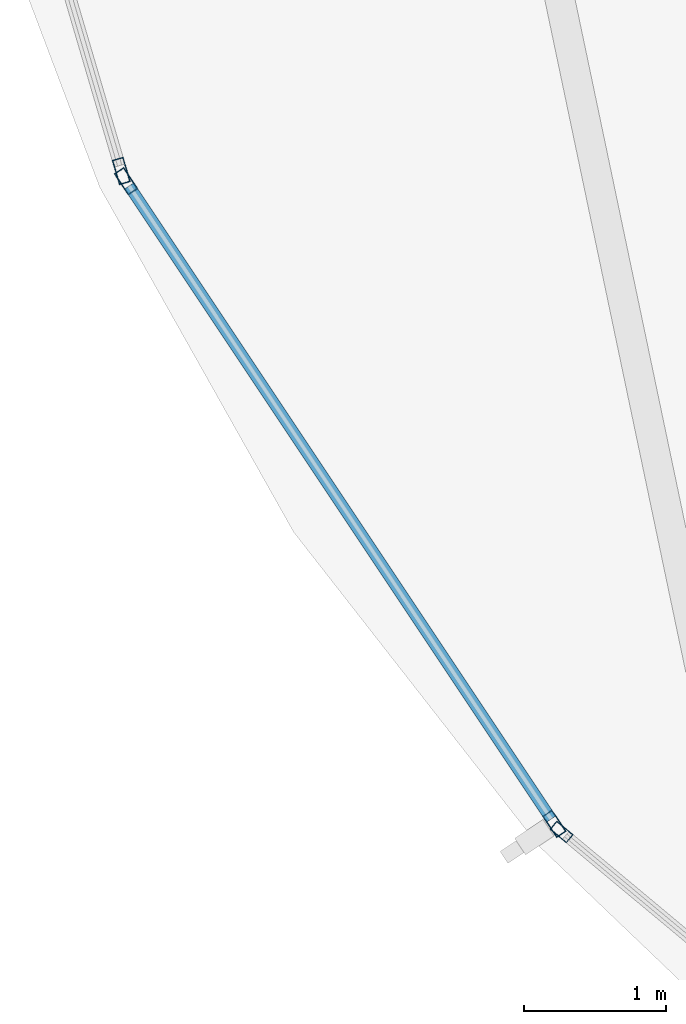
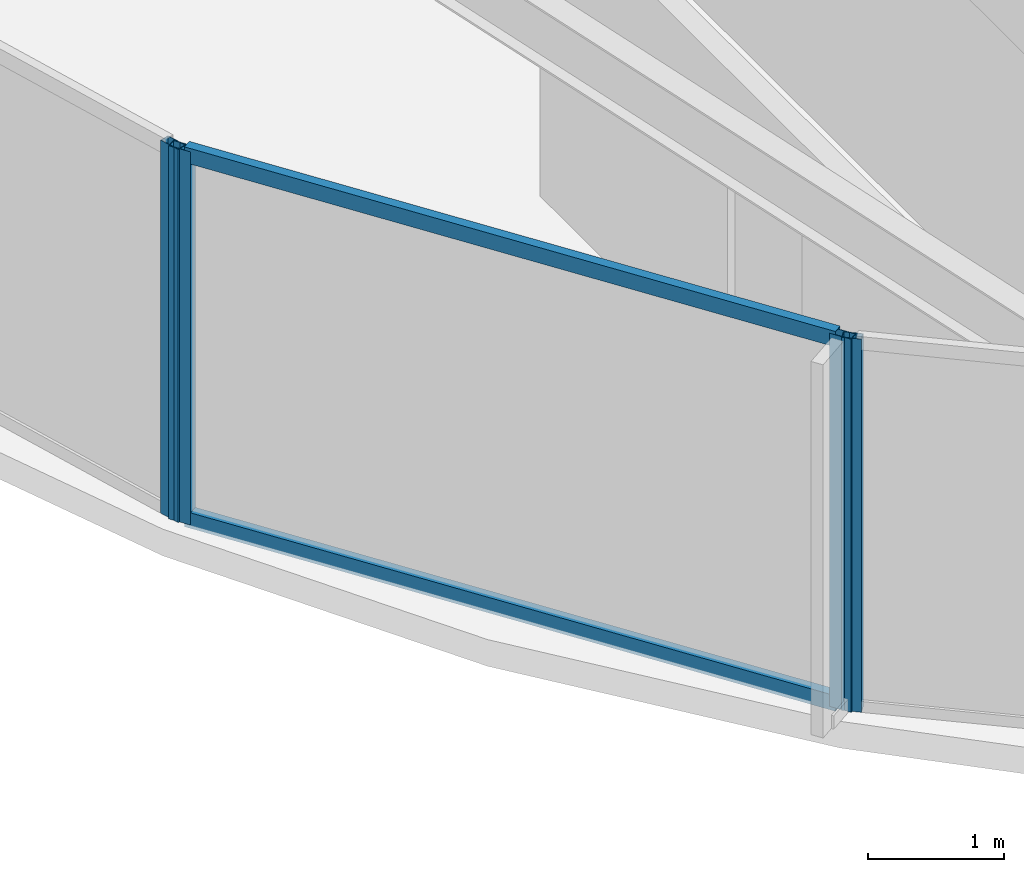
# One storey, part 3 of 30: 6 members, 3 elements without a shape of their own.
"""IFC4 building model written with IfcOpenShell, lengths in metres."""

from ifc_helpers import new_model, si_unit, direction, frame, origin, origin_2d, place, context, subcontext, project, spatial, hollow_rectangle, extrude, material, layer, layer_set, material_profile, profile_set, type_object, element, aggregate, save


model = new_model("IFC4")

# Units and contexts
model_context = context("Model", 3, precision=1e-05, world=origin(), true_north=direction((0.0, 1.0)))
body_context = subcontext(model_context, "Body", "Model", "MODEL_VIEW")
ifc_project = project(units=[si_unit("LENGTHUNIT", "METRE"), si_unit("AREAUNIT", "SQUARE_METRE"), si_unit("VOLUMEUNIT", "CUBIC_METRE"), si_unit("PLANEANGLEUNIT", "RADIAN"), si_unit("MASSUNIT", "GRAM", prefix="KILO")], contexts=[model_context])

# Site, building, storey
site_placement = place(None, origin())
site = spatial("IfcSite", under=ifc_project, at=site_placement, CompositionType="ELEMENT")
building_placement = place(site_placement, origin())
building = spatial("IfcBuilding", under=site, at=building_placement, Name="Kazevale Care Tower and Concert Hall", CompositionType="ELEMENT")
storey_placement = place(building_placement, frame((0.0, 0.0, 242.39990234375)))
storey = spatial("IfcBuildingStorey", under=building, at=storey_placement, Name="L64", CompositionType="ELEMENT", Elevation=242.39990234375)

# Curtain wall, members
ifc_material_1 = material(Name="Aluminium 6063-T6 and Low-E Glass", Category="aluminium")
ifc_layer_1 = layer(ifc_material_1, 0.179931640625)
ifc_layer_set_1 = layer_set([ifc_layer_1], Name="Aluminium 6063-T6 and Low-E Glass")
curtain_wall_type_1 = type_object("IfcCurtainWallType", Name="Waist & Upper Residential Curtain Wall CW-4", PredefinedType="NOTDEFINED", material=ifc_layer_set_1)
curtain_wall_1_placement = place(storey_placement, origin())
curtain_wall_1 = element("IfcCurtainWall", 1, at=curtain_wall_1_placement, inside=storey, type_object=curtain_wall_type_1, Name="cw:L64:f11", PredefinedType="NOTDEFINED")
ifc_material_2 = material(Name="Aluminium 6063-T6", Category="aluminium")
ifc_material_profile_1 = material_profile(ifc_material_2, hollow_rectangle(XDim=0.080078125, YDim=0.179931640625, WallThickness=0.0048828125, at=origin_2d()), Name="ALU80x180x5")
ifc_profile_set_1 = profile_set([ifc_material_profile_1], Name="Aluminium 6063-T6")
member_type_1 = type_object("IfcMemberType", Name="CW-4 Mullion ALU80x180x5", PredefinedType="MULLION", material=ifc_profile_set_1)
member_1_placement = place(storey_placement, frame((18.185791015625, 25.26318359375, 0.0), z_axis=(0.0, 0.0, 1.0), x_axis=(-0.832106058512, -0.554616540853, 0.0)))
member_1 = element("IfcMember", 2, at=member_1_placement, type_object=member_type_1, Name="CW-4 mullion 1", PredefinedType="MULLION", context=body_context, shape_type="SweptSolid", body=[
    extrude(hollow_rectangle(XDim=0.080078125, YDim=0.179931640625, WallThickness=0.0048828125, at=origin_2d()), origin(), (0.0, 0.0, 1.0), 3.360107421875),
])
member_2_placement = place(storey_placement, frame((15.170166015625, 29.78759765625, 0.0), z_axis=(0.0, 0.0, 1.0), x_axis=(-0.832106058512, -0.554616540853, 0.0)))
member_2 = element("IfcMember", 3, at=member_2_placement, type_object=member_type_1, Name="CW-4 mullion 2", PredefinedType="MULLION", context=body_context, shape_type="SweptSolid", body=[
    extrude(hollow_rectangle(XDim=0.080078125, YDim=0.179931640625, WallThickness=0.0048828125, at=origin_2d()), origin(), (0.0, 0.0, 1.0), 3.360107421875),
])

# Curtain wall, member
curtain_wall_2_placement = place(storey_placement, origin())
curtain_wall_2 = element("IfcCurtainWall", 4, at=curtain_wall_2_placement, inside=storey, type_object=curtain_wall_type_1, Name="cw:L64:f12", PredefinedType="NOTDEFINED")
member_3_placement = place(storey_placement, frame((15.13671875, 29.859375, 0.0), z_axis=(0.0, 0.0, 1.0), x_axis=(-0.959385539982, -0.282098184457, 0.0)))
member_3 = element("IfcMember", 5, at=member_3_placement, type_object=member_type_1, Name="CW-4 mullion 1", PredefinedType="MULLION", context=body_context, shape_type="SweptSolid", body=[
    extrude(hollow_rectangle(XDim=0.080078125, YDim=0.179931640625, WallThickness=0.0048828125, at=origin_2d()), origin(), (0.0, 0.0, 1.0), 3.360107421875),
])
aggregate(curtain_wall_2, [member_3])

# Member
ifc_material_profile_2 = material_profile(ifc_material_2, hollow_rectangle(XDim=0.080078125, YDim=0.139892578125, WallThickness=0.00390625, at=origin_2d()), Name="ALU80x140x4")
ifc_profile_set_2 = profile_set([ifc_material_profile_2], Name="Aluminium 6063-T6")
member_type_2 = type_object("IfcMemberType", Name="CW-4 Transom ALU80x140x4", PredefinedType="USERDEFINED", material=ifc_profile_set_2)
member_4_placement = place(storey_placement, frame((18.16357421875, 25.296630859375, 0.0400390625), z_axis=(-0.554616059735, 0.832106379187, 0.0), x_axis=(-0.832106379187, -0.554616059735, 0.0)))
member_4 = element("IfcMember", 6, at=member_4_placement, type_object=member_type_2, Name="CW-4 transom 1.1", ObjectType="TRANSOM", PredefinedType="USERDEFINED", context=body_context, shape_type="SweptSolid", body=[
    extrude(hollow_rectangle(XDim=0.080078125, YDim=0.139892578125, WallThickness=0.00390625, at=origin_2d()), origin(), (0.0, 0.0, 1.0), 5.357177734375),
])

member_5_placement = place(storey_placement, frame((18.16357421875, 25.296630859375, 3.320068359375), z_axis=(-0.554616059735, 0.832106379187, 0.0), x_axis=(-0.832106379187, -0.554616059735, 0.0)))
member_5 = element("IfcMember", 7, at=member_5_placement, type_object=member_type_2, Name="CW-4 transom 1.2", ObjectType="TRANSOM", PredefinedType="USERDEFINED", context=body_context, shape_type="SweptSolid", body=[
    extrude(hollow_rectangle(XDim=0.080078125, YDim=0.139892578125, WallThickness=0.00390625, at=origin_2d()), origin(), (0.0, 0.0, 1.0), 5.357177734375),
])

aggregate(curtain_wall_1, [member_1, member_2, member_4, member_5])

# Curtain wall, member
ifc_layer_2 = layer(ifc_material_1, 0.179931640625)
ifc_layer_set_2 = layer_set([ifc_layer_2], Name="Aluminium 6063-T6 and Low-E Glass")
curtain_wall_type_2 = type_object("IfcCurtainWallType", Name="Sheltered Concave Balcony Curtain Wall CW-5", PredefinedType="NOTDEFINED", material=ifc_layer_set_2)
curtain_wall_3_placement = place(storey_placement, origin())
curtain_wall_3 = element("IfcCurtainWall", 8, at=curtain_wall_3_placement, inside=storey, type_object=curtain_wall_type_2, Name="cw:L64:f10", PredefinedType="NOTDEFINED")
ifc_material_profile_3 = material_profile(ifc_material_2, hollow_rectangle(XDim=0.074951171875, YDim=0.14990234375, WallThickness=0.00390625, at=origin_2d()), Name="ALU75x150x4")
ifc_profile_set_3 = profile_set([ifc_material_profile_3], Name="Aluminium 6063-T6")
member_type_3 = type_object("IfcMemberType", Name="CW-5 Mullion ALU75x150x4", PredefinedType="MULLION", material=ifc_profile_set_3)
member_6_placement = place(storey_placement, frame((18.23681640625, 25.2060546875, 0.0), z_axis=(0.0, 0.0, 1.0), x_axis=(-0.639961217204, -0.768407210062, 0.0)))
member_6 = element("IfcMember", 9, at=member_6_placement, type_object=member_type_3, Name="CW-5 mullion 2", PredefinedType="MULLION", context=body_context, shape_type="SweptSolid", body=[
    extrude(hollow_rectangle(XDim=0.074951171875, YDim=0.14990234375, WallThickness=0.00390625, at=origin_2d()), origin(), (0.0, 0.0, 1.0), 3.360107421875),
])
aggregate(curtain_wall_3, [member_6])

save(model, "model.ifc")
